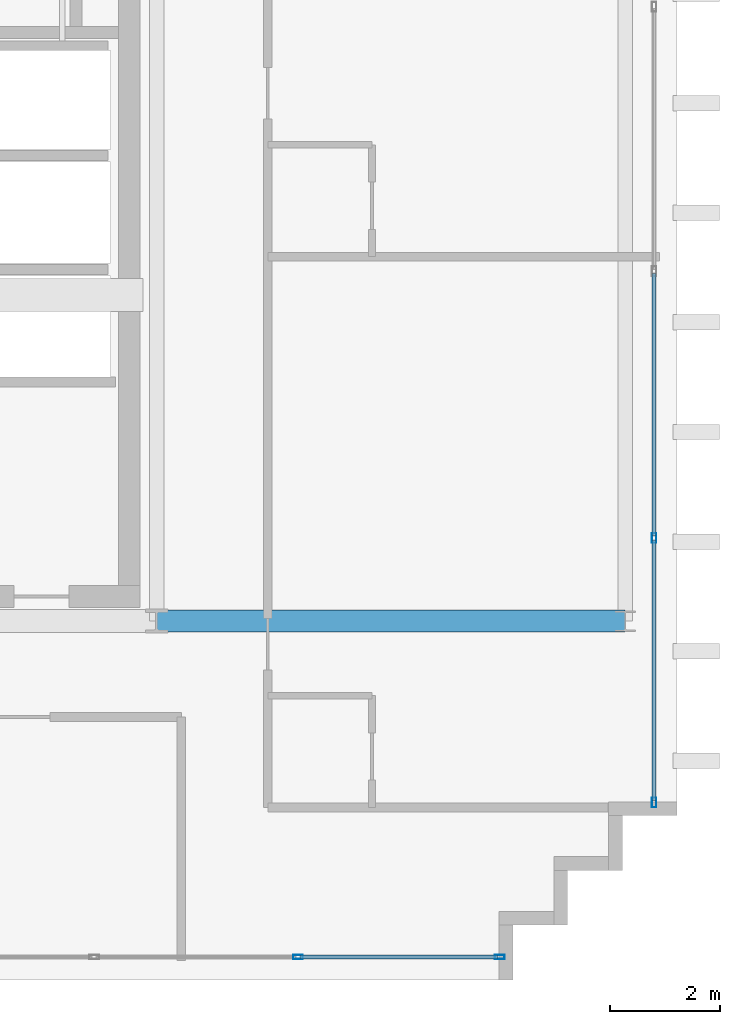
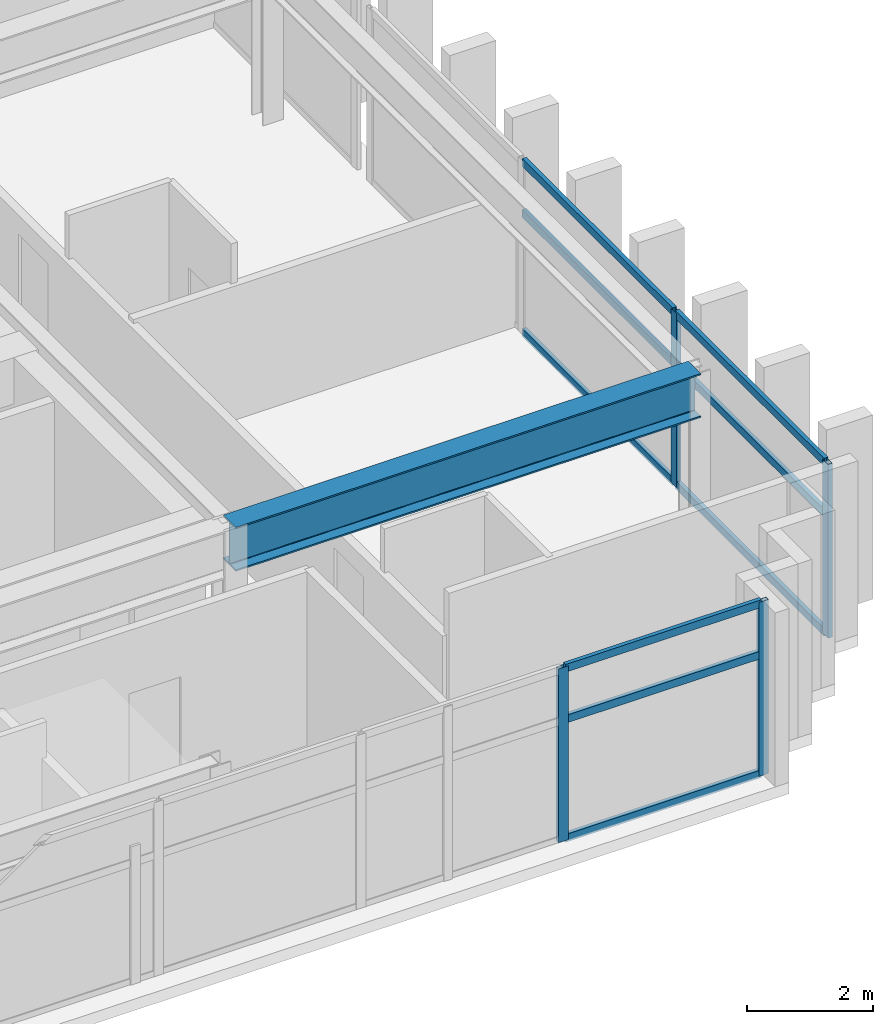
# One storey, part 4 of 15: 13 members, 1 beam, 2 elements without a shape of their own.
"""IFC4 building model written with IfcOpenShell, lengths in metres."""

from ifc_helpers import new_model, si_unit, direction, frame, origin, origin_2d, place, context, subcontext, project, spatial, hollow_rectangle, i_section, extrude, source, transform, mapped, material, layer, layer_set, material_profile, profile_set, type_object, element, aggregate, save


model = new_model("IFC4")

# Units and contexts
model_context = context("Model", 3, precision=1e-05, world=origin(), true_north=direction((0.0, 1.0)))
body_context = subcontext(model_context, "Body", "Model", "MODEL_VIEW")
ifc_project = project(units=[si_unit("LENGTHUNIT", "METRE"), si_unit("AREAUNIT", "SQUARE_METRE"), si_unit("VOLUMEUNIT", "CUBIC_METRE"), si_unit("PLANEANGLEUNIT", "RADIAN"), si_unit("MASSUNIT", "GRAM", prefix="KILO")], contexts=[model_context])

# Site, building, storey
site_placement = place(None, origin())
site = spatial("IfcSite", under=ifc_project, at=site_placement, CompositionType="ELEMENT")
building_placement = place(site_placement, origin())
building = spatial("IfcBuilding", under=site, at=building_placement, Name="Ocotamira Hotel", CompositionType="ELEMENT")
storey_placement = place(building_placement, frame((0.0, 0.0, 276.0)))
storey = spatial("IfcBuildingStorey", under=building, at=storey_placement, Name="L70", CompositionType="ELEMENT", Elevation=276.0)

# Beam
ifc_material_1 = material(Name="Steel ASTM A992 Grade 50", Category="steel")
ifc_material_profile_1 = material_profile(ifc_material_1, i_section(OverallWidth=0.39990234375, OverallDepth=0.85595703125, WebThickness=0.018310546875, FlangeThickness=0.029296875, FilletRadius=0.02001953125, at=origin_2d()), Name="W33X201")
ifc_profile_set_1 = profile_set([ifc_material_profile_1], Name="Steel ASTM A992 Grade 50")
beam_type = type_object("IfcBeamType", Name="BM-GIRD-W33X201", PredefinedType="BEAM", material=ifc_profile_set_1)
shared_shape_1 = source(origin(), body_context, "Body", "SweptSolid", [
    extrude(i_section(OverallWidth=0.39990234375, OverallDepth=0.85595703125, WebThickness=0.018310546875, FlangeThickness=0.029296875, FilletRadius=0.02001953125, at=origin_2d()), origin(), (0.0, 0.0, 1.0), 8.550048828125),
])
beam_placement = place(storey_placement, frame((23.5, 14.550048828125, 2.951904296875), z_axis=(1.0, 0.0, 0.0), x_axis=(0.0, 1.0, 0.0)))
element("IfcBeam", 1, at=beam_placement, inside=storey, type_object=beam_type, Name="L70 Girder Y14.55 X23.5-32.05", PredefinedType="BEAM", context=body_context, shape_type="MappedRepresentation", body=[
    mapped(shared_shape_1, transform((0.0, 0.0, 0.0), scale=1.0)),
])

# Curtain wall, members
ifc_material_2 = material(Name="Anodised pale-metal aluminium and solar glass", Category="aluminium")
ifc_layer = layer(ifc_material_2, 0.2099609375)
ifc_layer_set = layer_set([ifc_layer], Name="Anodised pale-metal aluminium and solar glass")
curtain_wall_type = type_object("IfcCurtainWallType", Name="CW-SYS7-PEAK", PredefinedType="NOTDEFINED", material=ifc_layer_set)
curtain_wall_1_placement = place(storey_placement, origin())
curtain_wall_1 = element("IfcCurtainWall", 2, at=curtain_wall_1_placement, inside=storey, type_object=curtain_wall_type, Name="L70 Curtain Wall CW-7 CW-L70-S1", PredefinedType="NOTDEFINED")
ifc_material_3 = material(Name="Anodised pale-metal aluminium 6063-T6", Category="aluminium")
ifc_material_profile_2 = material_profile(ifc_material_3, hollow_rectangle(XDim=0.080078125, YDim=0.179931640625, WallThickness=0.006103515625, at=origin_2d()), Name="HSS180X80X6")
ifc_profile_set_2 = profile_set([ifc_material_profile_2], Name="Anodised pale-metal aluminium 6063-T6")
member_type_1 = type_object("IfcMemberType", Name="CWM-180X75", PredefinedType="MULLION", material=ifc_profile_set_2)
shared_shape_2 = source(origin(), body_context, "Body", "SweptSolid", [
    extrude(hollow_rectangle(XDim=0.080078125, YDim=0.179931640625, WallThickness=0.006103515625, at=origin_2d()), origin(), (0.0, 0.0, 1.0), 3.3798828125),
])
member_1_placement = place(storey_placement, frame((26.080078125, 8.419921875, 0.0), z_axis=(0.0, 0.0, 1.0), x_axis=(0.0, 1.0, 0.0)))
member_1 = element("IfcMember", 3, at=member_1_placement, type_object=member_type_1, Name="CW-7 mullion 5", PredefinedType="MULLION", context=body_context, shape_type="MappedRepresentation", body=[
    mapped(shared_shape_2, transform((0.0, 0.0, 0.0), scale=1.0)),
])
member_2_placement = place(storey_placement, frame((29.760009765625, 8.419921875, 0.0), z_axis=(0.0, 0.0, 1.0), x_axis=(0.0, 1.0, 0.0)))
member_2 = element("IfcMember", 4, at=member_2_placement, type_object=member_type_1, Name="CW-7 mullion 6", PredefinedType="MULLION", context=body_context, shape_type="MappedRepresentation", body=[
    mapped(shared_shape_2, transform((0.0, 0.0, 0.0), scale=1.0)),
])

curtain_wall_2_placement = place(storey_placement, origin())
curtain_wall_2 = element("IfcCurtainWall", 5, at=curtain_wall_2_placement, inside=storey, type_object=curtain_wall_type, Name="L70 Curtain Wall CW-7 CW-L70-E1", PredefinedType="NOTDEFINED")
member_3_placement = place(storey_placement, frame((32.580078125, 11.239990234375, 0.0), z_axis=(0.0, 0.0, 1.0), x_axis=(-1.0, 0.0, 0.0)))
member_3 = element("IfcMember", 6, at=member_3_placement, type_object=member_type_1, Name="CW-7 mullion 1", PredefinedType="MULLION", context=body_context, shape_type="MappedRepresentation", body=[
    mapped(shared_shape_2, transform((0.0, 0.0, 0.0), scale=1.0)),
])
member_4_placement = place(storey_placement, frame((32.580078125, 16.066650390625, 0.0), z_axis=(0.0, 0.0, 1.0), x_axis=(-1.0, 0.0, 0.0)))
member_4 = element("IfcMember", 7, at=member_4_placement, type_object=member_type_1, Name="CW-7 mullion 2", PredefinedType="MULLION", context=body_context, shape_type="MappedRepresentation", body=[
    mapped(shared_shape_2, transform((0.0, 0.0, 0.0), scale=1.0)),
])

# Member
ifc_material_profile_3 = material_profile(ifc_material_3, hollow_rectangle(XDim=0.074951171875, YDim=0.14990234375, WallThickness=0.006103515625, at=origin_2d()), Name="HSS150X75X6")
ifc_profile_set_3 = profile_set([ifc_material_profile_3], Name="Anodised pale-metal aluminium 6063-T6")
member_type_2 = type_object("IfcMemberType", Name="CWT-150X75", PredefinedType="USERDEFINED", material=ifc_profile_set_3)
shared_shape_3 = source(origin(), body_context, "Body", "SweptSolid", [
    extrude(hollow_rectangle(XDim=0.074951171875, YDim=0.14990234375, WallThickness=0.006103515625, at=origin_2d()), origin(), (0.0, 0.0, 1.0), 3.599853515625),
])
member_5_placement = place(storey_placement, frame((26.1201171875, 8.419921875, 0.03759765625), z_axis=(1.0, 0.0, 0.0), x_axis=(0.0, 1.0, 0.0)))
member_5 = element("IfcMember", 8, at=member_5_placement, type_object=member_type_2, Name="CW-7 transom 5.1", ObjectType="TRANSOM", PredefinedType="USERDEFINED", context=body_context, shape_type="MappedRepresentation", body=[
    mapped(shared_shape_3, transform((0.0, 0.0, 0.0), scale=1.0)),
])

member_6_placement = place(storey_placement, frame((26.1201171875, 8.419921875, 2.35009765625), z_axis=(1.0, 0.0, 0.0), x_axis=(0.0, 1.0, 0.0)))
member_6 = element("IfcMember", 9, at=member_6_placement, type_object=member_type_2, Name="CW-7 transom 5.2", ObjectType="TRANSOM", PredefinedType="USERDEFINED", context=body_context, shape_type="MappedRepresentation", body=[
    mapped(shared_shape_3, transform((0.0, 0.0, 0.0), scale=1.0)),
])

member_7_placement = place(storey_placement, frame((26.1201171875, 8.419921875, 3.342529296875), z_axis=(1.0, 0.0, 0.0), x_axis=(0.0, 1.0, 0.0)))
member_7 = element("IfcMember", 10, at=member_7_placement, type_object=member_type_2, Name="CW-7 transom 5.3", ObjectType="TRANSOM", PredefinedType="USERDEFINED", context=body_context, shape_type="MappedRepresentation", body=[
    mapped(shared_shape_3, transform((0.0, 0.0, 0.0), scale=1.0)),
])

aggregate(curtain_wall_1, [member_1, member_2, member_5, member_6, member_7])

shared_shape_4 = source(origin(), body_context, "Body", "SweptSolid", [
    extrude(hollow_rectangle(XDim=0.074951171875, YDim=0.14990234375, WallThickness=0.006103515625, at=origin_2d()), origin(), (0.0, 0.0, 1.0), 4.74658203125),
])
member_8_placement = place(storey_placement, frame((32.580078125, 11.280029296875, 0.03759765625), z_axis=(0.0, 1.0, 0.0), x_axis=(-1.0, 0.0, 0.0)))
member_8 = element("IfcMember", 11, at=member_8_placement, type_object=member_type_2, Name="CW-7 transom 1.1", ObjectType="TRANSOM", PredefinedType="USERDEFINED", context=body_context, shape_type="MappedRepresentation", body=[
    mapped(shared_shape_4, transform((0.0, 0.0, 0.0), scale=1.0)),
])

member_9_placement = place(storey_placement, frame((32.580078125, 11.280029296875, 2.35009765625), z_axis=(0.0, 1.0, 0.0), x_axis=(-1.0, 0.0, 0.0)))
member_9 = element("IfcMember", 12, at=member_9_placement, type_object=member_type_2, Name="CW-7 transom 1.2", ObjectType="TRANSOM", PredefinedType="USERDEFINED", context=body_context, shape_type="MappedRepresentation", body=[
    mapped(shared_shape_4, transform((0.0, 0.0, 0.0), scale=1.0)),
])

member_10_placement = place(storey_placement, frame((32.580078125, 11.280029296875, 3.342529296875), z_axis=(0.0, 1.0, 0.0), x_axis=(-1.0, 0.0, 0.0)))
member_10 = element("IfcMember", 13, at=member_10_placement, type_object=member_type_2, Name="CW-7 transom 1.3", ObjectType="TRANSOM", PredefinedType="USERDEFINED", context=body_context, shape_type="MappedRepresentation", body=[
    mapped(shared_shape_4, transform((0.0, 0.0, 0.0), scale=1.0)),
])

shared_shape_5 = source(origin(), body_context, "Body", "SweptSolid", [
    extrude(hollow_rectangle(XDim=0.074951171875, YDim=0.14990234375, WallThickness=0.006103515625, at=origin_2d()), origin(), (0.0, 0.0, 1.0), 4.78662109375),
])
member_11_placement = place(storey_placement, frame((32.580078125, 16.106689453125, 0.03759765625), z_axis=(0.0, 1.0, 0.0), x_axis=(-1.0, 0.0, 0.0)))
member_11 = element("IfcMember", 14, at=member_11_placement, type_object=member_type_2, Name="CW-7 transom 2.1", ObjectType="TRANSOM", PredefinedType="USERDEFINED", context=body_context, shape_type="MappedRepresentation", body=[
    mapped(shared_shape_5, transform((0.0, 0.0, 0.0), scale=1.0)),
])

member_12_placement = place(storey_placement, frame((32.580078125, 16.106689453125, 2.35009765625), z_axis=(0.0, 1.0, 0.0), x_axis=(-1.0, 0.0, 0.0)))
member_12 = element("IfcMember", 15, at=member_12_placement, type_object=member_type_2, Name="CW-7 transom 2.2", ObjectType="TRANSOM", PredefinedType="USERDEFINED", context=body_context, shape_type="MappedRepresentation", body=[
    mapped(shared_shape_5, transform((0.0, 0.0, 0.0), scale=1.0)),
])

member_13_placement = place(storey_placement, frame((32.580078125, 16.106689453125, 3.342529296875), z_axis=(0.0, 1.0, 0.0), x_axis=(-1.0, 0.0, 0.0)))
member_13 = element("IfcMember", 16, at=member_13_placement, type_object=member_type_2, Name="CW-7 transom 2.3", ObjectType="TRANSOM", PredefinedType="USERDEFINED", context=body_context, shape_type="MappedRepresentation", body=[
    mapped(shared_shape_5, transform((0.0, 0.0, 0.0), scale=1.0)),
])

aggregate(curtain_wall_2, [member_3, member_4, member_8, member_9, member_10, member_11, member_12, member_13])

save(model, "model.ifc")
